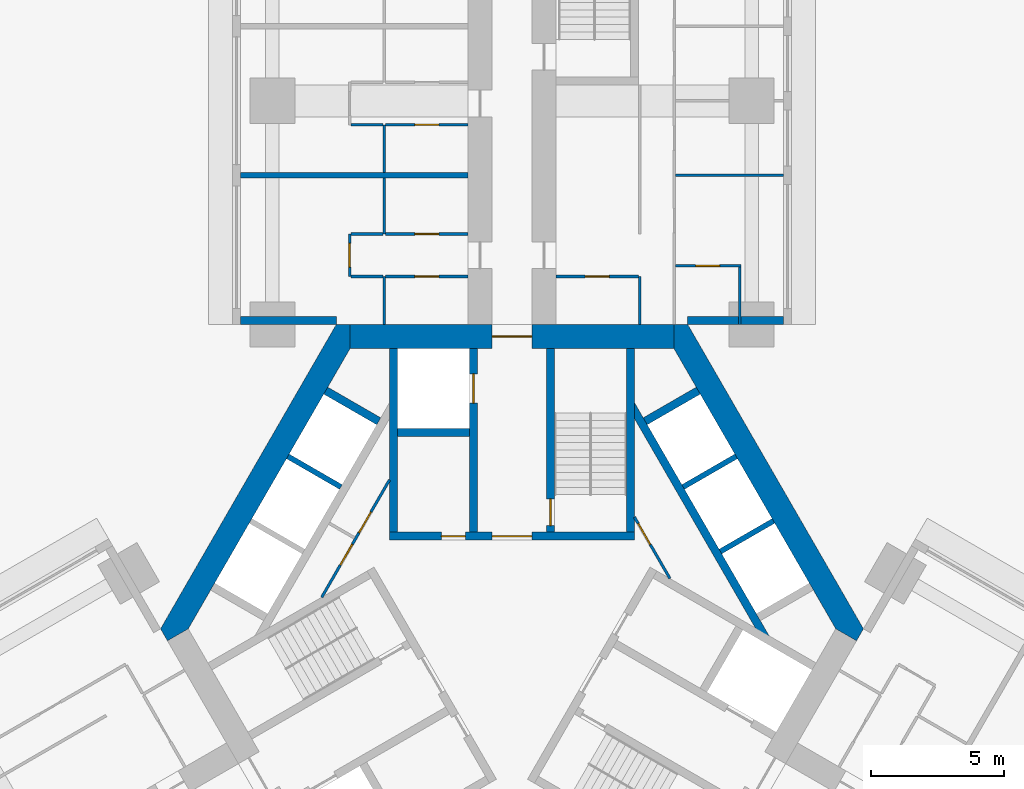
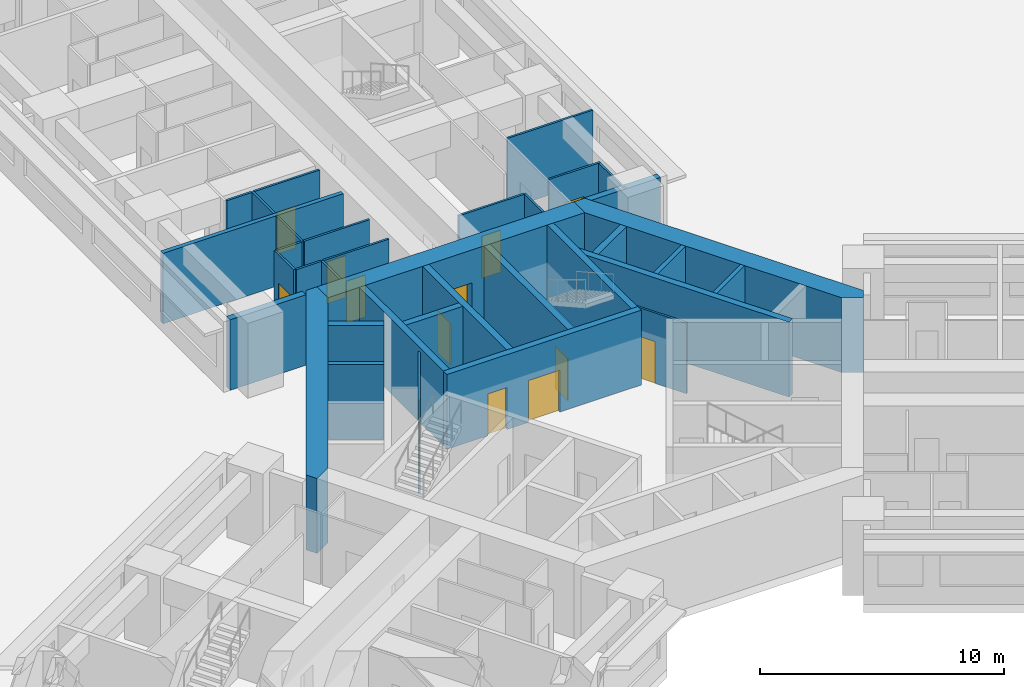
# One storey, part 8 of 18: 35 walls, 14 doors, 14 openings.
"""IFC4 building model written with IfcOpenShell, lengths in metres."""

from ifc_helpers import new_model, si_unit, direction, frame, frame_2d, origin, place, context, subcontext, project, spatial, polyline, rectangle, outline, extrude, material, layer, layer_set, type_object, element, fill, save


model = new_model("IFC4")

# Units and contexts
model_context = context("Model", 3, precision=1e-05, world=origin(), true_north=direction((0.0, 1.0)))
body_context = subcontext(model_context, "Body", "Model", "MODEL_VIEW")
ifc_project = project(units=[si_unit("LENGTHUNIT", "METRE"), si_unit("AREAUNIT", "SQUARE_METRE"), si_unit("VOLUMEUNIT", "CUBIC_METRE"), si_unit("PLANEANGLEUNIT", "RADIAN"), si_unit("MASSUNIT", "GRAM", prefix="KILO")], contexts=[model_context])

# Site, building, storey
site_placement = place(None, origin())
site = spatial("IfcSite", under=ifc_project, at=site_placement, CompositionType="ELEMENT")
building_placement = place(site_placement, origin())
building = spatial("IfcBuilding", under=site, at=building_placement, Name="Impinga Residences", CompositionType="ELEMENT")
storey_placement = place(building_placement, frame((0.0, 0.0, 26.0)))
storey = spatial("IfcBuildingStorey", under=building, at=storey_placement, Name="L05", CompositionType="ELEMENT", Elevation=26.0)

# Wall, opening, door
ifc_material_1 = material(Name="Concrete blockwork", Category="masonry")
ifc_layer_1 = layer(ifc_material_1, 0.10009765625)
ifc_layer_set_1 = layer_set([ifc_layer_1], Name="CP1 core room partition, blockwork 100")
wall_type_1 = type_object("IfcWallType", Name="CP1 core room partition, blockwork 100", PredefinedType="PARTITIONING", material=ifc_layer_set_1)
wall_1_placement = place(storey_placement, frame((4.60009765625, 4.195556640625, 0.0), z_axis=(0.0, 0.0, 1.0), x_axis=(0.500018294232, -0.866014841347, 0.0)))
wall_1 = element("IfcWall", 1, at=wall_1_placement, inside=storey, type_object=wall_type_1, Name="Core room partition, blockwork L05:CORE:mid:FP", PredefinedType="PARTITIONING", context=body_context, shape_type="SweptSolid", body=[
    extrude(rectangle(XDim=2.6669921875, YDim=0.10009765625, at=frame_2d((1.33349609375, 0.0))), origin(), (0.0, 0.0, 1.0), 3.530029296875),
])
opening_1_placement = place(wall_1_placement, frame((0.283447265625, 0.0, 0.0)))
opening_1 = element("IfcOpeningElement", 2, at=opening_1_placement, cuts=wall_1, Name="Opening D6", PredefinedType="OPENING", context=body_context, shape_type="SweptSolid", body=[
    extrude(rectangle(XDim=0.89990234375, YDim=2.10009765625, at=frame_2d((0.449951171875, 1.050048828125))), frame((0.0, 0.06005859375, 0.0), z_axis=(0.0, -1.0, 0.0), x_axis=(1.0, 0.0, 0.0)), (0.0, 0.0, 1.0), 0.1201171875),
])
ifc_material_2 = material(Name="Timber door set", Category="wood")
door_type_1 = type_object("IfcDoorType", Name="D6 riser and store door 900x2100", OperationType="SINGLE_SWING_LEFT", PredefinedType="DOOR", material=ifc_material_2)
door_1_placement = place(opening_1_placement, origin())
door_1 = element("IfcDoor", 3, at=door_1_placement, inside=storey, type_object=door_type_1, Name="Refuse and recycling room door", OperationType="SINGLE_SWING_LEFT", OverallHeight=2.10009765625, OverallWidth=0.89990234375, PredefinedType="DOOR", context=body_context, shape_type="SweptSolid", body=[
    extrude(rectangle(XDim=0.89990234375, YDim=2.10009765625, at=frame_2d((0.449951171875, 1.050048828125))), frame((0.0, 0.02490234375, 0.0), z_axis=(0.0, -1.0, 0.0), x_axis=(1.0, 0.0, 0.0)), (0.0, 0.0, 1.0), 0.050048828125),
])
fill(opening_1, door_1)

# Wall, openings, doors
wall_2_placement = place(storey_placement, frame((-7.14599609375, 1.185791015625, 0.0), z_axis=(0.0, 0.0, 1.0), x_axis=(0.499975622669, 0.866039477586, 0.0)))
wall_2 = element("IfcWall", 4, at=wall_2_placement, inside=storey, type_object=wall_type_1, Name="Core room partition, blockwork L05:CORE:high:FP", PredefinedType="PARTITIONING", context=body_context, shape_type="SweptSolid", body=[
    extrude(rectangle(XDim=5.092041015625, YDim=0.10009765625, at=frame_2d((2.5458984375, 0.0))), origin(), (0.0, 0.0, 1.0), 3.530029296875),
])
opening_2_placement = place(wall_2_placement, frame((1.39599609375, 0.0, 0.0)))
opening_2 = element("IfcOpeningElement", 5, at=opening_2_placement, cuts=wall_2, Name="Opening D6", PredefinedType="OPENING", context=body_context, shape_type="SweptSolid", body=[
    extrude(rectangle(XDim=0.89990234375, YDim=2.10009765625, at=frame_2d((0.449951171875, 1.050048828125))), frame((0.0, 0.06005859375, 0.0), z_axis=(0.0, -1.0, 0.0), x_axis=(1.0, 0.0, 0.0)), (0.0, 0.0, 1.0), 0.1201171875),
])
opening_3_placement = place(wall_2_placement, frame((2.7958984375, 0.0, 0.0)))
opening_3 = element("IfcOpeningElement", 6, at=opening_3_placement, cuts=wall_2, Name="Opening D6", PredefinedType="OPENING", context=body_context, shape_type="SweptSolid", body=[
    extrude(rectangle(XDim=0.89990234375, YDim=2.10009765625, at=frame_2d((0.449951171875, 1.050048828125))), frame((0.0, 0.06005859375, 0.0), z_axis=(0.0, -1.0, 0.0), x_axis=(1.0, 0.0, 0.0)), (0.0, 0.0, 1.0), 0.1201171875),
])
door_2_placement = place(opening_2_placement, origin())
door_2 = element("IfcDoor", 7, at=door_2_placement, inside=storey, type_object=door_type_1, Name="Housekeeping store door", OperationType="SINGLE_SWING_LEFT", OverallHeight=2.10009765625, OverallWidth=0.89990234375, PredefinedType="DOOR", context=body_context, shape_type="SweptSolid", body=[
    extrude(rectangle(XDim=0.89990234375, YDim=2.10009765625, at=frame_2d((0.449951171875, 1.050048828125))), frame((0.0, 0.02490234375, 0.0), z_axis=(0.0, -1.0, 0.0), x_axis=(1.0, 0.0, 0.0)), (0.0, 0.0, 1.0), 0.050048828125),
])
fill(opening_2, door_2)
door_3_placement = place(opening_3_placement, origin())
door_3 = element("IfcDoor", 8, at=door_3_placement, inside=storey, type_object=door_type_1, Name="Linen store door", OperationType="SINGLE_SWING_RIGHT", OverallHeight=2.10009765625, OverallWidth=0.89990234375, PredefinedType="DOOR", context=body_context, shape_type="SweptSolid", body=[
    extrude(rectangle(XDim=0.89990234375, YDim=2.10009765625, at=frame_2d((0.449951171875, 1.050048828125))), frame((0.0, 0.02490234375, 0.0), z_axis=(0.0, -1.0, 0.0), x_axis=(1.0, 0.0, 0.0)), (0.0, 0.0, 1.0), 0.050048828125),
])
fill(opening_3, door_3)

# Walls
ifc_material_3 = material(Name="Terracotta rainscreen on blockwork", Category="masonry")
ifc_layer_2 = layer(ifc_material_3, 0.300048828125)
ifc_layer_set_2 = layer_set([ifc_layer_2], Name="EW1 external wall, terracotta rainscreen on blockwork 300")
wall_type_2 = type_object("IfcWallType", Name="EW1 external wall, terracotta rainscreen on blockwork 300", PredefinedType="SOLIDWALL", material=ifc_layer_set_2)
for number, where, z_axis, x_axis, name in (
    (9, (-6.60009765625, 11.58154296875, 0.0), (0.0, 0.0, 1.0), (-1.0, 0.0, 0.0), "External wall EW1 L05"),
    (10, (10.199951171875, 11.58154296875, 0.0), (0.0, 0.0, 1.0), (-1.0, 0.0, 0.0), "External wall EW1 L05"),
):
    element("IfcWall", number, at=place(storey_placement, frame(where, z_axis=z_axis, x_axis=x_axis)), inside=storey, type_object=wall_type_2, Name=name, PredefinedType="SOLIDWALL", context=body_context, shape_type="SweptSolid", body=[
        extrude(rectangle(XDim=3.599853515625, YDim=0.300048828125, at=frame_2d((1.7998046875, 0.0))), origin(), (0.0, 0.0, 1.0), 3.530029296875),
    ])
ifc_material_4 = material(Name="Gypsum board on steel studs", Category="steel")
ifc_layer_3 = layer(ifc_material_4, 0.10009765625)
ifc_layer_set_3 = layer_set([ifc_layer_3], Name="Gypsum board on steel studs")
wall_type_3 = type_object("IfcWallType", Name="IP1 partition 100", PredefinedType="PARTITIONING", material=ifc_layer_set_3)
wall_3_placement = place(storey_placement, frame((-4.800048828125, 11.431640625, 0.0), z_axis=(0.0, 0.0, 1.0), x_axis=(0.0, 1.0, 0.0)))
element("IfcWall", 11, at=wall_3_placement, inside=storey, type_object=wall_type_3, Name="Partition L05-NA1:DIV0", PredefinedType="PARTITIONING", context=body_context, shape_type="SweptSolid", body=[
    extrude(rectangle(XDim=1.7998046875, YDim=0.10009765625, at=frame_2d((0.89990234375, 0.0))), origin(), (0.0, 0.0, 1.0), 3.530029296875),
])
wall_4_placement = place(storey_placement, frame((-4.800048828125, 14.83154296875, 0.0), z_axis=(0.0, 0.0, 1.0), x_axis=(0.0, 1.0, 0.0)))
element("IfcWall", 12, at=wall_4_placement, inside=storey, type_object=wall_type_3, Name="Partition L05-NA1:DIV1", PredefinedType="PARTITIONING", context=body_context, shape_type="SweptSolid", body=[
    extrude(rectangle(XDim=2.10009765625, YDim=0.10009765625, at=frame_2d((1.050048828125, 0.0))), origin(), (0.0, 0.0, 1.0), 3.530029296875),
])

# Wall, opening, door
wall_5_placement = place(storey_placement, frame((-6.10009765625, 13.2314453125, 0.0), z_axis=(0.0, 0.0, 1.0), x_axis=(0.0, 1.0, 0.0)))
wall_5 = element("IfcWall", 13, at=wall_5_placement, inside=storey, type_object=wall_type_3, Name="Partition L05-NA1:STRIP", PredefinedType="PARTITIONING", context=body_context, shape_type="SweptSolid", body=[
    extrude(rectangle(XDim=1.60009765625, YDim=0.10009765625, at=frame_2d((0.800048828125, 0.0))), origin(), (0.0, 0.0, 1.0), 3.530029296875),
])
opening_4_placement = place(wall_5_placement, frame((0.35009765625, 0.0, 0.0)))
opening_4 = element("IfcOpeningElement", 14, at=opening_4_placement, cuts=wall_5, Name="Opening D2", PredefinedType="OPENING", context=body_context, shape_type="SweptSolid", body=[
    extrude(rectangle(XDim=0.89990234375, YDim=2.10009765625, at=frame_2d((0.449951171875, 1.050048828125))), frame((0.0, 0.06005859375, 0.0), z_axis=(0.0, -1.0, 0.0), x_axis=(1.0, 0.0, 0.0)), (0.0, 0.0, 1.0), 0.1201171875),
])
door_type_2 = type_object("IfcDoorType", Name="D2 internal door 900x2100", OperationType="SINGLE_SWING_LEFT", PredefinedType="DOOR", material=ifc_material_2)
door_4_placement = place(opening_4_placement, origin())
door_4 = element("IfcDoor", 15, at=door_4_placement, inside=storey, type_object=door_type_2, Name="Apartment L05-NA1 room door", OperationType="SINGLE_SWING_LEFT", OverallHeight=2.10009765625, OverallWidth=0.89990234375, PredefinedType="DOOR", context=body_context, shape_type="SweptSolid", body=[
    extrude(rectangle(XDim=0.89990234375, YDim=2.10009765625, at=frame_2d((0.449951171875, 1.050048828125))), frame((0.0, 0.02490234375, 0.0), z_axis=(0.0, -1.0, 0.0), x_axis=(1.0, 0.0, 0.0)), (0.0, 0.0, 1.0), 0.050048828125),
])
fill(opening_4, door_4)

# Walls
for number, where, z_axis, x_axis, name in (
    (16, (-4.85009765625, 13.2314453125, 0.0), (0.0, 0.0, 1.0), (-1.0, 0.0, 0.0), "Partition L05-NA1:SE0"),
    (17, (-4.85009765625, 14.83154296875, 0.0), (0.0, 0.0, 1.0), (-1.0, 0.0, 0.0), "Partition L05-NA1:SE1"),
):
    element("IfcWall", number, at=place(storey_placement, frame(where, z_axis=z_axis, x_axis=x_axis)), inside=storey, type_object=wall_type_3, Name=name, PredefinedType="PARTITIONING", context=body_context, shape_type="SweptSolid", body=[
        extrude(rectangle(XDim=1.199951171875, YDim=0.10009765625, at=frame_2d((0.60009765625, 0.0))), origin(), (0.0, 0.0, 1.0), 3.530029296875),
    ])

# Wall, opening, door
wall_6_placement = place(storey_placement, frame((-1.64990234375, 13.2314453125, 0.0), z_axis=(0.0, 0.0, 1.0), x_axis=(-1.0, 0.0, 0.0)))
wall_6 = element("IfcWall", 18, at=wall_6_placement, inside=storey, type_object=wall_type_3, Name="Partition L05-NA1:IB1", PredefinedType="PARTITIONING", context=body_context, shape_type="SweptSolid", body=[
    extrude(rectangle(XDim=3.10009765625, YDim=0.10009765625, at=frame_2d((1.550048828125, 0.0))), origin(), (0.0, 0.0, 1.0), 3.530029296875),
])
opening_5_placement = place(wall_6_placement, frame((1.10009765625, 0.0, 0.0)))
opening_5 = element("IfcOpeningElement", 19, at=opening_5_placement, cuts=wall_6, Name="Opening D2", PredefinedType="OPENING", context=body_context, shape_type="SweptSolid", body=[
    extrude(rectangle(XDim=0.89990234375, YDim=2.10009765625, at=frame_2d((0.449951171875, 1.050048828125))), frame((0.0, 0.06005859375, 0.0), z_axis=(0.0, -1.0, 0.0), x_axis=(1.0, 0.0, 0.0)), (0.0, 0.0, 1.0), 0.1201171875),
])
door_5_placement = place(opening_5_placement, origin())
door_5 = element("IfcDoor", 20, at=door_5_placement, inside=storey, type_object=door_type_2, Name="Apartment L05-NA1 bathroom door", OperationType="SINGLE_SWING_LEFT", OverallHeight=2.10009765625, OverallWidth=0.89990234375, PredefinedType="DOOR", context=body_context, shape_type="SweptSolid", body=[
    extrude(rectangle(XDim=0.89990234375, YDim=2.10009765625, at=frame_2d((0.449951171875, 1.050048828125))), frame((0.0, 0.02490234375, 0.0), z_axis=(0.0, -1.0, 0.0), x_axis=(1.0, 0.0, 0.0)), (0.0, 0.0, 1.0), 0.050048828125),
])
fill(opening_5, door_5)

wall_7_placement = place(storey_placement, frame((-1.64990234375, 14.83154296875, 0.0), z_axis=(0.0, 0.0, 1.0), x_axis=(-1.0, 0.0, 0.0)))
wall_7 = element("IfcWall", 21, at=wall_7_placement, inside=storey, type_object=wall_type_3, Name="Partition L05-NA1:IB2", PredefinedType="PARTITIONING", context=body_context, shape_type="SweptSolid", body=[
    extrude(rectangle(XDim=3.10009765625, YDim=0.10009765625, at=frame_2d((1.550048828125, 0.0))), origin(), (0.0, 0.0, 1.0), 3.530029296875),
])
opening_6_placement = place(wall_7_placement, frame((1.10009765625, 0.0, 0.0)))
opening_6 = element("IfcOpeningElement", 22, at=opening_6_placement, cuts=wall_7, Name="Opening D2", PredefinedType="OPENING", context=body_context, shape_type="SweptSolid", body=[
    extrude(rectangle(XDim=0.89990234375, YDim=2.10009765625, at=frame_2d((0.449951171875, 1.050048828125))), frame((0.0, 0.06005859375, 0.0), z_axis=(0.0, -1.0, 0.0), x_axis=(1.0, 0.0, 0.0)), (0.0, 0.0, 1.0), 0.1201171875),
])
door_6_placement = place(opening_6_placement, origin())
door_6 = element("IfcDoor", 23, at=door_6_placement, inside=storey, type_object=door_type_2, Name="Apartment L05-NA1 WC door", OperationType="SINGLE_SWING_LEFT", OverallHeight=2.10009765625, OverallWidth=0.89990234375, PredefinedType="DOOR", context=body_context, shape_type="SweptSolid", body=[
    extrude(rectangle(XDim=0.89990234375, YDim=2.10009765625, at=frame_2d((0.449951171875, 1.050048828125))), frame((0.0, 0.02490234375, 0.0), z_axis=(0.0, -1.0, 0.0), x_axis=(1.0, 0.0, 0.0)), (0.0, 0.0, 1.0), 0.050048828125),
])
fill(opening_6, door_6)

# Walls
wall_8_placement = place(storey_placement, frame((-4.800048828125, 17.131591796875, 0.0), z_axis=(0.0, 0.0, 1.0), x_axis=(0.0, 1.0, 0.0)))
element("IfcWall", 24, at=wall_8_placement, inside=storey, type_object=wall_type_3, Name="Partition L05-NA2:DIV0", PredefinedType="PARTITIONING", context=body_context, shape_type="SweptSolid", body=[
    extrude(rectangle(XDim=1.800048828125, YDim=0.10009765625, at=frame_2d((0.89990234375, 0.0))), origin(), (0.0, 0.0, 1.0), 3.530029296875),
])
wall_9_placement = place(storey_placement, frame((-4.85009765625, 18.931640625, 0.0), z_axis=(0.0, 0.0, 1.0), x_axis=(-1.0, 0.0, 0.0)))
element("IfcWall", 25, at=wall_9_placement, inside=storey, type_object=wall_type_3, Name="Partition L05-NA2:SE0", PredefinedType="PARTITIONING", context=body_context, shape_type="SweptSolid", body=[
    extrude(rectangle(XDim=1.199951171875, YDim=0.10009765625, at=frame_2d((0.60009765625, 0.0))), origin(), (0.0, 0.0, 1.0), 3.530029296875),
])

# Wall, opening, door
wall_10_placement = place(storey_placement, frame((-1.64990234375, 18.931640625, 0.0), z_axis=(0.0, 0.0, 1.0), x_axis=(-1.0, 0.0, 0.0)))
wall_10 = element("IfcWall", 26, at=wall_10_placement, inside=storey, type_object=wall_type_3, Name="Partition L05-NA2:IB1", PredefinedType="PARTITIONING", context=body_context, shape_type="SweptSolid", body=[
    extrude(rectangle(XDim=3.10009765625, YDim=0.10009765625, at=frame_2d((1.550048828125, 0.0))), origin(), (0.0, 0.0, 1.0), 3.530029296875),
])
opening_7_placement = place(wall_10_placement, frame((1.10009765625, 0.0, 0.0)))
opening_7 = element("IfcOpeningElement", 27, at=opening_7_placement, cuts=wall_10, Name="Opening D2", PredefinedType="OPENING", context=body_context, shape_type="SweptSolid", body=[
    extrude(rectangle(XDim=0.89990234375, YDim=2.10009765625, at=frame_2d((0.449951171875, 1.050048828125))), frame((0.0, 0.06005859375, 0.0), z_axis=(0.0, -1.0, 0.0), x_axis=(1.0, 0.0, 0.0)), (0.0, 0.0, 1.0), 0.1201171875),
])
door_7_placement = place(opening_7_placement, origin())
door_7 = element("IfcDoor", 28, at=door_7_placement, inside=storey, type_object=door_type_2, Name="Apartment L05-NA2 bathroom door", OperationType="SINGLE_SWING_LEFT", OverallHeight=2.10009765625, OverallWidth=0.89990234375, PredefinedType="DOOR", context=body_context, shape_type="SweptSolid", body=[
    extrude(rectangle(XDim=0.89990234375, YDim=2.10009765625, at=frame_2d((0.449951171875, 1.050048828125))), frame((0.0, 0.02490234375, 0.0), z_axis=(0.0, -1.0, 0.0), x_axis=(1.0, 0.0, 0.0)), (0.0, 0.0, 1.0), 0.050048828125),
])
fill(opening_7, door_7)

# Wall
wall_11_placement = place(storey_placement, frame((4.800048828125, 11.431640625, 0.0), z_axis=(0.0, 0.0, 1.0), x_axis=(0.0, 1.0, 0.0)))
element("IfcWall", 29, at=wall_11_placement, inside=storey, type_object=wall_type_3, Name="Partition L05-NF1:DIV0", PredefinedType="PARTITIONING", context=body_context, shape_type="SweptSolid", body=[
    extrude(rectangle(XDim=1.7998046875, YDim=0.10009765625, at=frame_2d((0.89990234375, 0.0))), origin(), (0.0, 0.0, 1.0), 3.530029296875),
])

# Wall, opening, door
wall_12_placement = place(storey_placement, frame((1.64990234375, 13.2314453125, 0.0), z_axis=(0.0, 0.0, 1.0), x_axis=(1.0, 0.0, 0.0)))
wall_12 = element("IfcWall", 30, at=wall_12_placement, inside=storey, type_object=wall_type_3, Name="Partition L05-NF1:IB1", PredefinedType="PARTITIONING", context=body_context, shape_type="SweptSolid", body=[
    extrude(rectangle(XDim=3.10009765625, YDim=0.10009765625, at=frame_2d((1.550048828125, 0.0))), origin(), (0.0, 0.0, 1.0), 3.530029296875),
])
opening_8_placement = place(wall_12_placement, frame((1.10009765625, 0.0, 0.0)))
opening_8 = element("IfcOpeningElement", 31, at=opening_8_placement, cuts=wall_12, Name="Opening D2", PredefinedType="OPENING", context=body_context, shape_type="SweptSolid", body=[
    extrude(rectangle(XDim=0.89990234375, YDim=2.10009765625, at=frame_2d((0.449951171875, 1.050048828125))), frame((0.0, 0.06005859375, 0.0), z_axis=(0.0, -1.0, 0.0), x_axis=(1.0, 0.0, 0.0)), (0.0, 0.0, 1.0), 0.1201171875),
])
door_8_placement = place(opening_8_placement, origin())
door_8 = element("IfcDoor", 32, at=door_8_placement, inside=storey, type_object=door_type_2, Name="Apartment L05-NF1 bathroom door", OperationType="SINGLE_SWING_LEFT", OverallHeight=2.10009765625, OverallWidth=0.89990234375, PredefinedType="DOOR", context=body_context, shape_type="SweptSolid", body=[
    extrude(rectangle(XDim=0.89990234375, YDim=2.10009765625, at=frame_2d((0.449951171875, 1.050048828125))), frame((0.0, 0.02490234375, 0.0), z_axis=(0.0, -1.0, 0.0), x_axis=(1.0, 0.0, 0.0)), (0.0, 0.0, 1.0), 0.050048828125),
])
fill(opening_8, door_8)

# Wall
wall_13_placement = place(storey_placement, frame((6.14990234375, 17.031494140625, 0.0), z_axis=(0.0, 0.0, 1.0), x_axis=(1.0, 0.0, 0.0)))
element("IfcWall", 33, at=wall_13_placement, inside=storey, type_object=wall_type_3, Name="Partition L05-NF1:OB1", PredefinedType="PARTITIONING", context=body_context, shape_type="SweptSolid", body=[
    extrude(rectangle(XDim=4.050048828125, YDim=0.10009765625, at=frame_2d((2.02490234375, 0.0))), origin(), (0.0, 0.0, 1.0), 3.530029296875),
])

# Wall, opening, door
wall_14_placement = place(storey_placement, frame((6.14990234375, 13.631591796875, 0.0), z_axis=(0.0, 0.0, 1.0), x_axis=(1.0, 0.0, 0.0)))
wall_14 = element("IfcWall", 34, at=wall_14_placement, inside=storey, type_object=wall_type_3, Name="Partition L05-NF1:EN1", PredefinedType="PARTITIONING", context=body_context, shape_type="SweptSolid", body=[
    extrude(rectangle(XDim=2.4501953125, YDim=0.10009765625, at=frame_2d((1.22509765625, 0.0))), origin(), (0.0, 0.0, 1.0), 3.530029296875),
])
opening_9_placement = place(wall_14_placement, frame((0.75, 0.0, 0.0)))
opening_9 = element("IfcOpeningElement", 35, at=opening_9_placement, cuts=wall_14, Name="Opening D2", PredefinedType="OPENING", context=body_context, shape_type="SweptSolid", body=[
    extrude(rectangle(XDim=0.89990234375, YDim=2.10009765625, at=frame_2d((0.449951171875, 1.050048828125))), frame((0.0, 0.06005859375, 0.0), z_axis=(0.0, -1.0, 0.0), x_axis=(1.0, 0.0, 0.0)), (0.0, 0.0, 1.0), 0.1201171875),
])
door_9_placement = place(opening_9_placement, origin())
door_9 = element("IfcDoor", 36, at=door_9_placement, inside=storey, type_object=door_type_2, Name="Apartment L05-NF1 en-suite door", OperationType="SINGLE_SWING_LEFT", OverallHeight=2.10009765625, OverallWidth=0.89990234375, PredefinedType="DOOR", context=body_context, shape_type="SweptSolid", body=[
    extrude(rectangle(XDim=0.89990234375, YDim=2.10009765625, at=frame_2d((0.449951171875, 1.050048828125))), frame((0.0, 0.02490234375, 0.0), z_axis=(0.0, -1.0, 0.0), x_axis=(1.0, 0.0, 0.0)), (0.0, 0.0, 1.0), 0.050048828125),
])
fill(opening_9, door_9)

# Walls
wall_15_placement = place(storey_placement, frame((8.550048828125, 11.431640625, 0.0), z_axis=(0.0, 0.0, 1.0), x_axis=(0.0, 1.0, 0.0)))
element("IfcWall", 37, at=wall_15_placement, inside=storey, type_object=wall_type_3, Name="Partition L05-NF1:EN2", PredefinedType="PARTITIONING", context=body_context, shape_type="SweptSolid", body=[
    extrude(rectangle(XDim=2.14990234375, YDim=0.10009765625, at=frame_2d((1.074951171875, 0.0))), origin(), (0.0, 0.0, 1.0), 3.530029296875),
])
ifc_layer_4 = layer(ifc_material_1, 0.199951171875)
ifc_layer_set_4 = layer_set([ifc_layer_4], Name="PW1 party wall between apartments 200")
wall_type_4 = type_object("IfcWallType", Name="PW1 party wall between apartments 200", PredefinedType="SOLIDWALL", material=ifc_layer_set_4)
wall_16_placement = place(storey_placement, frame((-1.64990234375, 17.031494140625, 0.0), z_axis=(0.0, 0.0, 1.0), x_axis=(-1.0, 0.0, 0.0)))
element("IfcWall", 38, at=wall_16_placement, inside=storey, type_object=wall_type_4, Name="Party wall between apartments L05-NA1:PARTY", PredefinedType="SOLIDWALL", context=body_context, shape_type="SweptSolid", body=[
    extrude(rectangle(XDim=8.550048828125, YDim=0.199951171875, at=frame_2d((4.27490234375, 0.0))), origin(), (0.0, 0.0, 1.0), 3.530029296875),
])

# Wall, opening, door
ifc_material_5 = material(Name="Concrete C70/85", Category="concrete")
ifc_layer_5 = layer(ifc_material_5, 0.89990234375)
ifc_layer_set_5 = layer_set([ifc_layer_5], Name="Concrete C70/85")
wall_type_5 = type_object("IfcWallType", Name="SW1 core wall 900", PredefinedType="SHEAR", material=ifc_layer_set_5)
wall_17_placement = place(storey_placement, frame((-6.080322265625, 10.9814453125, 0.0), z_axis=(0.0, 0.0, 1.0), x_axis=(1.0, 0.0, 0.0)))
wall_17 = element("IfcWall", 39, at=wall_17_placement, inside=storey, type_object=wall_type_5, Name="Core wall SW1 N:FACE L05", PredefinedType="SHEAR", context=body_context, shape_type="SweptSolid", body=[
    extrude(rectangle(XDim=12.16064453125, YDim=0.89990234375, at=frame_2d((6.080322265625, 0.0))), origin(), (0.0, 0.0, 1.0), 3.75),
])
opening_10_placement = place(wall_17_placement, frame((5.330322265625, 0.0, 0.0)))
opening_10 = element("IfcOpeningElement", 40, at=opening_10_placement, cuts=wall_17, Name="Opening D4", PredefinedType="OPENING", context=body_context, shape_type="SweptSolid", body=[
    extrude(rectangle(XDim=1.5, YDim=2.10009765625, at=frame_2d((0.75, 1.050048828125))), frame((0.0, 0.4599609375, 0.0), z_axis=(0.0, -1.0, 0.0), x_axis=(1.0, 0.0, 0.0)), (0.0, 0.0, 1.0), 0.919921875),
])
door_type_3 = type_object("IfcDoorType", Name="D4 lobby door pair 1500x2100", OperationType="DOUBLE_DOOR_DOUBLE_SWING", PredefinedType="DOOR", material=ifc_material_2)
door_10_placement = place(opening_10_placement, origin())
door_10 = element("IfcDoor", 41, at=door_10_placement, inside=storey, type_object=door_type_3, Name="Lobby door N", OperationType="DOUBLE_DOOR_DOUBLE_SWING", OverallHeight=2.10009765625, OverallWidth=1.5, PredefinedType="DOOR", context=body_context, shape_type="SweptSolid", body=[
    extrude(rectangle(XDim=1.5, YDim=2.10009765625, at=frame_2d((0.75, 1.050048828125))), frame((0.0, 0.02490234375, 0.0), z_axis=(0.0, -1.0, 0.0), x_axis=(1.0, 0.0, 0.0)), (0.0, 0.0, 1.0), 0.050048828125),
])
fill(opening_10, door_10)

# Walls
wall_18_placement = place(storey_placement, origin())
element("IfcWall", 42, at=wall_18_placement, inside=storey, type_object=wall_type_5, Name="Core wall SW1 W:EXPOSED L05", PredefinedType="SHEAR", context=body_context, shape_type="SweptSolid", body=[
    extrude(outline(polyline([(13.199951171875, 0.0), (6.60009765625, 11.431640625), (6.080322265625, 11.431640625), (6.080322265625, 10.531494140625), (12.160888671875, 0.0), (12.940185546875, -0.449951171875), (13.199951171875, 0.0)])), origin(), (0.0, 0.0, 1.0), 3.75),
])
wall_19_placement = place(storey_placement, origin())
element("IfcWall", 43, at=wall_19_placement, inside=storey, type_object=wall_type_5, Name="Core wall SW1 E:EXPOSED L05", PredefinedType="SHEAR", context=body_context, shape_type="SweptSolid", body=[
    extrude(outline(polyline([(-6.60009765625, 11.431640625), (-13.199951171875, 0.0), (-12.940185546875, -0.449951171875), (-12.160888671875, 0.0), (-6.080322265625, 10.531494140625), (-6.080322265625, 11.431640625), (-6.60009765625, 11.431640625)])), origin(), (0.0, 0.0, 1.0), 3.75),
])

# Wall, openings, doors
ifc_layer_6 = layer(ifc_material_5, 0.300048828125)
ifc_layer_set_6 = layer_set([ifc_layer_6], Name="Concrete C70/85")
wall_type_6 = type_object("IfcWallType", Name="SW5 core inner wall, stairs, shafts and lobbies 300", PredefinedType="SHEAR", material=ifc_layer_set_6)
wall_20_placement = place(storey_placement, frame((-4.60009765625, 3.47998046875, 0.0), z_axis=(0.0, 0.0, 1.0), x_axis=(1.0, 0.0, 0.0)))
wall_20 = element("IfcWall", 44, at=wall_20_placement, inside=storey, type_object=wall_type_6, Name="Core wall SW5 N:ZONE L05", PredefinedType="SHEAR", context=body_context, shape_type="SweptSolid", body=[
    extrude(rectangle(XDim=9.2001953125, YDim=0.300048828125, at=frame_2d((4.60009765625, 0.0))), origin(), (0.0, 0.0, 1.0), 3.75),
])
opening_11_placement = place(wall_20_placement, frame((3.85009765625, 0.0, 0.0)))
opening_11 = element("IfcOpeningElement", 45, at=opening_11_placement, cuts=wall_20, Name="Opening D4", PredefinedType="OPENING", context=body_context, shape_type="SweptSolid", body=[
    extrude(rectangle(XDim=1.5, YDim=2.10009765625, at=frame_2d((0.75, 1.050048828125))), frame((0.0, 0.159912109375, 0.0), z_axis=(0.0, -1.0, 0.0), x_axis=(1.0, 0.0, 0.0)), (0.0, 0.0, 1.0), 0.320068359375),
])
opening_12_placement = place(wall_20_placement, frame((1.949951171875, 0.0, 0.0)))
opening_12 = element("IfcOpeningElement", 46, at=opening_12_placement, cuts=wall_20, Name="Opening D6", PredefinedType="OPENING", context=body_context, shape_type="SweptSolid", body=[
    extrude(rectangle(XDim=0.89990234375, YDim=2.10009765625, at=frame_2d((0.449951171875, 1.050048828125))), frame((0.0, 0.159912109375, 0.0), z_axis=(0.0, -1.0, 0.0), x_axis=(1.0, 0.0, 0.0)), (0.0, 0.0, 1.0), 0.320068359375),
])
door_11_placement = place(opening_11_placement, origin())
door_11 = element("IfcDoor", 47, at=door_11_placement, inside=storey, type_object=door_type_3, Name="Firefighting lobby door N", OperationType="DOUBLE_DOOR_DOUBLE_SWING", OverallHeight=2.10009765625, OverallWidth=1.5, PredefinedType="DOOR", context=body_context, shape_type="SweptSolid", body=[
    extrude(rectangle(XDim=1.5, YDim=2.10009765625, at=frame_2d((0.75, 1.050048828125))), frame((0.0, 0.02490234375, 0.0), z_axis=(0.0, -1.0, 0.0), x_axis=(1.0, 0.0, 0.0)), (0.0, 0.0, 1.0), 0.050048828125),
])
fill(opening_11, door_11)
door_12_placement = place(opening_12_placement, origin())
door_12 = element("IfcDoor", 48, at=door_12_placement, inside=storey, type_object=door_type_1, Name="Riser door N", OperationType="SINGLE_SWING_LEFT", OverallHeight=2.10009765625, OverallWidth=0.89990234375, PredefinedType="DOOR", context=body_context, shape_type="SweptSolid", body=[
    extrude(rectangle(XDim=0.89990234375, YDim=2.10009765625, at=frame_2d((0.449951171875, 1.050048828125))), frame((0.0, 0.02490234375, 0.0), z_axis=(0.0, -1.0, 0.0), x_axis=(1.0, 0.0, 0.0)), (0.0, 0.0, 1.0), 0.050048828125),
])
fill(opening_12, door_12)

# Wall, opening, door
wall_21_placement = place(storey_placement, frame((1.449951171875, 3.6298828125, 0.0), z_axis=(0.0, 0.0, 1.0), x_axis=(0.0, 1.0, 0.0)))
wall_21 = element("IfcWall", 49, at=wall_21_placement, inside=storey, type_object=wall_type_6, Name="Core wall SW5 N:ST-IN L05", PredefinedType="SHEAR", context=body_context, shape_type="SweptSolid", body=[
    extrude(rectangle(XDim=6.901611328125, YDim=0.300048828125, at=frame_2d((3.45068359375, 0.0))), origin(), (0.0, 0.0, 1.0), 3.75),
])
opening_13_placement = place(wall_21_placement, frame((0.25, 0.0, 0.0)))
opening_13 = element("IfcOpeningElement", 50, at=opening_13_placement, cuts=wall_21, Name="Opening D5", PredefinedType="OPENING", context=body_context, shape_type="SweptSolid", body=[
    extrude(rectangle(XDim=1.0, YDim=2.10009765625, at=frame_2d((0.5, 1.050048828125))), frame((0.0, 0.159912109375, 0.0), z_axis=(0.0, -1.0, 0.0), x_axis=(1.0, 0.0, 0.0)), (0.0, 0.0, 1.0), 0.320068359375),
])
door_type_4 = type_object("IfcDoorType", Name="D5 stair door 1000x2100", OperationType="SINGLE_SWING_LEFT", PredefinedType="DOOR", material=ifc_material_2)
door_13_placement = place(opening_13_placement, origin())
door_13 = element("IfcDoor", 51, at=door_13_placement, inside=storey, type_object=door_type_4, Name="Stair door N", OperationType="SINGLE_SWING_LEFT", OverallHeight=2.10009765625, OverallWidth=1.0, PredefinedType="DOOR", context=body_context, shape_type="SweptSolid", body=[
    extrude(rectangle(XDim=1.0, YDim=2.10009765625, at=frame_2d((0.5, 1.050048828125))), frame((0.0, 0.02490234375, 0.0), z_axis=(0.0, -1.0, 0.0), x_axis=(1.0, 0.0, 0.0)), (0.0, 0.0, 1.0), 0.050048828125),
])
fill(opening_13, door_13)

# Wall
wall_22_placement = place(storey_placement, frame((4.449951171875, 3.6298828125, 0.0), z_axis=(0.0, 0.0, 1.0), x_axis=(0.0, 1.0, 0.0)))
element("IfcWall", 52, at=wall_22_placement, inside=storey, type_object=wall_type_6, Name="Core wall SW5 N:ST-OUT L05", PredefinedType="SHEAR", context=body_context, shape_type="SweptSolid", body=[
    extrude(rectangle(XDim=6.901611328125, YDim=0.300048828125, at=frame_2d((3.45068359375, 0.0))), origin(), (0.0, 0.0, 1.0), 3.75),
])

# Wall, opening, door
wall_23_placement = place(storey_placement, frame((-1.449951171875, 3.6298828125, 0.0), z_axis=(0.0, 0.0, 1.0), x_axis=(0.0, 1.0, 0.0)))
wall_23 = element("IfcWall", 53, at=wall_23_placement, inside=storey, type_object=wall_type_6, Name="Core wall SW5 N:FF-IN L05", PredefinedType="SHEAR", context=body_context, shape_type="SweptSolid", body=[
    extrude(rectangle(XDim=6.901611328125, YDim=0.300048828125, at=frame_2d((3.45068359375, 0.0))), origin(), (0.0, 0.0, 1.0), 3.75),
])
opening_14_placement = place(wall_23_placement, frame((4.85009765625, 0.0, 0.0)))
opening_14 = element("IfcOpeningElement", 54, at=opening_14_placement, cuts=wall_23, Name="Opening LD2", PredefinedType="OPENING", context=body_context, shape_type="SweptSolid", body=[
    extrude(rectangle(XDim=1.10009765625, YDim=2.10009765625, at=frame_2d((0.550048828125, 1.050048828125))), frame((0.0, 0.159912109375, 0.0), z_axis=(0.0, -1.0, 0.0), x_axis=(1.0, 0.0, 0.0)), (0.0, 0.0, 1.0), 0.320068359375),
])
ifc_material_6 = material(Name="Steel lift landing door", Category="steel")
door_type_5 = type_object("IfcDoorType", Name="LD2 firefighting lift landing door 1100x2100", OperationType="DOUBLE_DOOR_SLIDING", PredefinedType="DOOR", material=ifc_material_6)
door_14_placement = place(opening_14_placement, origin())
door_14 = element("IfcDoor", 55, at=door_14_placement, inside=storey, type_object=door_type_5, Name="Firefighting lift landing door F1", OperationType="DOUBLE_DOOR_SLIDING", OverallHeight=2.10009765625, OverallWidth=1.10009765625, PredefinedType="DOOR", context=body_context, shape_type="SweptSolid", body=[
    extrude(rectangle(XDim=1.10009765625, YDim=2.10009765625, at=frame_2d((0.550048828125, 1.050048828125))), frame((0.0, 0.02490234375, 0.0), z_axis=(0.0, -1.0, 0.0), x_axis=(1.0, 0.0, 0.0)), (0.0, 0.0, 1.0), 0.050048828125),
])
fill(opening_14, door_14)

# Walls
wall_24_placement = place(storey_placement, frame((-4.449951171875, 3.6298828125, 0.0), z_axis=(0.0, 0.0, 1.0), x_axis=(0.0, 1.0, 0.0)))
element("IfcWall", 56, at=wall_24_placement, inside=storey, type_object=wall_type_6, Name="Core wall SW5 N:FF-OUT L05", PredefinedType="SHEAR", context=body_context, shape_type="SweptSolid", body=[
    extrude(rectangle(XDim=6.901611328125, YDim=0.300048828125, at=frame_2d((3.45068359375, 0.0))), origin(), (0.0, 0.0, 1.0), 3.75),
])
wall_25_placement = place(storey_placement, frame((-4.300048828125, 7.3798828125, 0.0), z_axis=(0.0, 0.0, 1.0), x_axis=(1.0, 0.0, 0.0)))
element("IfcWall", 57, at=wall_25_placement, inside=storey, type_object=wall_type_6, Name="Core wall SW5 N:FF-RS L05", PredefinedType="SHEAR", context=body_context, shape_type="SweptSolid", body=[
    extrude(rectangle(XDim=2.699951171875, YDim=0.300048828125, at=frame_2d((1.35009765625, 0.0))), origin(), (0.0, 0.0, 1.0), 3.75),
])
wall_26_placement = place(storey_placement, frame((4.449951171875, 8.455322265625, 0.0), z_axis=(0.0, 0.0, 1.0), x_axis=(0.500002290144, -0.866024081565, 0.0)))
element("IfcWall", 58, at=wall_26_placement, inside=storey, type_object=wall_type_6, Name="Core wall SW5 W:BANK-FRONT L05", PredefinedType="SHEAR", context=body_context, shape_type="SweptSolid", body=[
    extrude(rectangle(XDim=10.1953125, YDim=0.300048828125, at=frame_2d((5.09765625, 0.0))), origin(), (0.0, 0.0, 1.0), 3.75),
])
for number, where, z_axis, x_axis, name in (
    (59, (5.003662109375, 7.79638671875, 0.0), (0.0, 0.0, 1.0), (0.866053019151, 0.499952165731, 0.0), "Core wall SW5 W:BANK-L L05"),
    (60, (-5.003662109375, 7.79638671875, 0.0), (0.0, 0.0, 1.0), (-0.866053019151, 0.499952165731, 0.0), "Core wall SW5 E:BANK-R L05"),
):
    element("IfcWall", number, at=place(storey_placement, frame(where, z_axis=z_axis, x_axis=x_axis)), inside=storey, type_object=wall_type_6, Name=name, PredefinedType="SHEAR", context=body_context, shape_type="SweptSolid", body=[
        extrude(rectangle(XDim=2.300048828125, YDim=0.300048828125, at=frame_2d((1.14990234375, 0.0))), origin(), (0.0, 0.0, 1.0), 3.75),
    ])
ifc_layer_7 = layer(ifc_material_5, 0.199951171875)
ifc_layer_set_7 = layer_set([ifc_layer_7], Name="Concrete C70/85")
wall_type_7 = type_object("IfcWallType", Name="SW6 lift shaft divider wall 200", PredefinedType="SHEAR", material=ifc_layer_set_7)
for number, where, z_axis, x_axis, name in (
    (61, (6.4287109375, 5.328125, 0.0), (0.0, 0.0, 1.0), (0.866007057882, 0.500031774688, 0.0), "Core wall SW6 W:BANK-D1 L05"),
    (62, (7.82861328125, 2.9033203125, 0.0), (0.0, 0.0, 1.0), (0.866053019151, 0.499952165731, 0.0), "Core wall SW6 W:BANK-D2 L05"),
    (63, (-6.4287109375, 5.328125, 0.0), (0.0, 0.0, 1.0), (-0.866007057882, 0.500031774688, 0.0), "Core wall SW6 E:BANK-D2 L05"),
):
    element("IfcWall", number, at=place(storey_placement, frame(where, z_axis=z_axis, x_axis=x_axis)), inside=storey, type_object=wall_type_7, Name=name, PredefinedType="SHEAR", context=body_context, shape_type="SweptSolid", body=[
        extrude(rectangle(XDim=2.300048828125, YDim=0.199951171875, at=frame_2d((1.14990234375, 0.0))), origin(), (0.0, 0.0, 1.0), 3.75),
    ])

save(model, "model.ifc")
